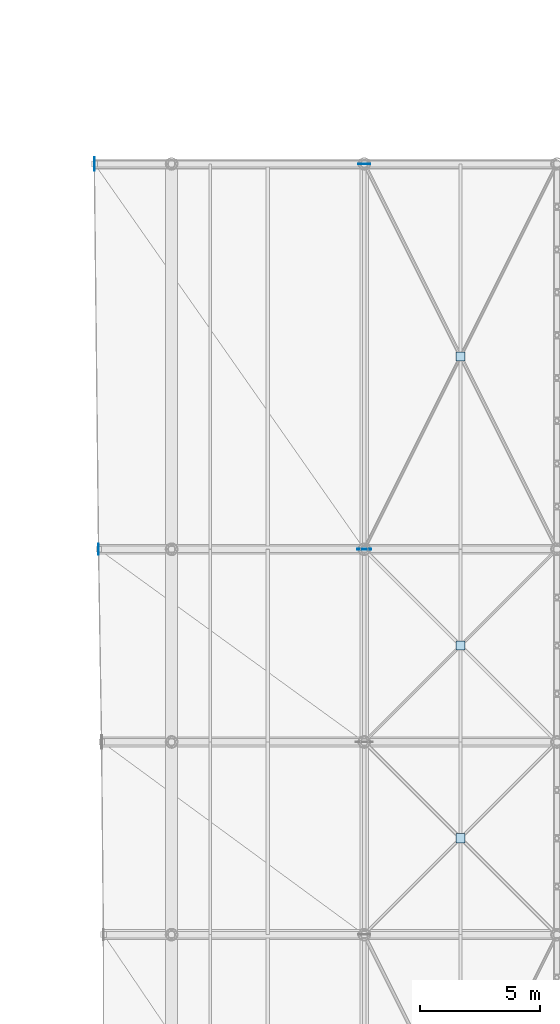
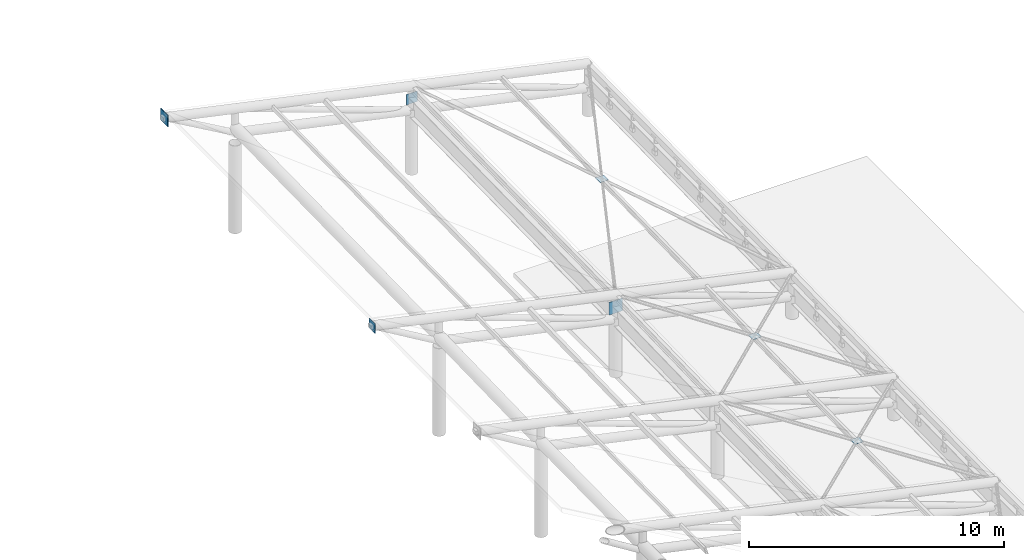
# One storey, part 31 of 41: 7 plates.
"""IFC4 building model written with IfcOpenShell, lengths in metres."""

from ifc_helpers import new_model, si_unit, direction, frame, origin, origin_2d, place, context, subcontext, project, spatial, rectangle, extrude, material, layer, layer_set, type_object, element, save


model = new_model("IFC4")

# Units and contexts
model_context = context("Model", 3, precision=1e-05, world=origin(), true_north=direction((0.0, 1.0)))
body_context = subcontext(model_context, "Body", "Model", "MODEL_VIEW")
ifc_project = project(units=[si_unit("LENGTHUNIT", "METRE"), si_unit("AREAUNIT", "SQUARE_METRE"), si_unit("VOLUMEUNIT", "CUBIC_METRE"), si_unit("PLANEANGLEUNIT", "RADIAN"), si_unit("MASSUNIT", "GRAM", prefix="KILO")], contexts=[model_context])

# Site, building, storey
site_placement = place(None, origin())
site = spatial("IfcSite", under=ifc_project, at=site_placement, CompositionType="ELEMENT")
building_placement = place(site_placement, origin())
building = spatial("IfcBuilding", under=site, at=building_placement, Name="Haebicheon Civic Stadium", CompositionType="ELEMENT")
storey_placement = place(building_placement, frame((0.0, 0.0, 27.0)))
storey = spatial("IfcBuildingStorey", under=building, at=storey_placement, Name="L07", CompositionType="ELEMENT", Elevation=27.0)

# Plates
ifc_material_1 = material(Name="White painted steel SM490", Category="steel")
ifc_layer_1 = layer(ifc_material_1, 0.02001953125, Name="White painted steel SM490")
ifc_layer_set_1 = layer_set([ifc_layer_1], Name="White painted steel SM490")
plate_type_1 = type_object("IfcPlateType", Name="PLT-CAP-20", PredefinedType="SHEET", material=ifc_layer_set_1)
plate_1_placement = place(storey_placement, frame((132.97509765625, 120.0, 5.9580078125), z_axis=(0.0, 0.0, 1.0), x_axis=(0.0, 1.0, 0.0)))
element("IfcPlate", 1, at=plate_1_placement, inside=storey, type_object=plate_type_1, material=ifc_layer_set_1, Name="CAN-EAST tip end-cap plate 8", PredefinedType="SHEET", context=body_context, shape_type="SweptSolid", body=[
    extrude(rectangle(XDim=0.4599609375, YDim=0.02001953125, at=origin_2d()), origin(), (0.0, 0.0, 1.0), 0.4599609375),
])
ifc_material_2 = material(Name="White painted steel SM490", Category="steel")
ifc_layer_2 = layer(ifc_material_2, 0.02587890625, Name="White painted steel SM490")
ifc_layer_set_2 = layer_set([ifc_layer_2], Name="White painted steel SM490")
plate_type_2 = type_object("IfcPlateType", Name="PLT-CAP-26", PredefinedType="SHEET", material=ifc_layer_set_2)
plate_2_placement = place(storey_placement, frame((132.800048828125, 136.0, 6.23486328125), z_axis=(0.0, 0.0, 1.0), x_axis=(0.0, 1.0, 0.0)))
element("IfcPlate", 2, at=plate_2_placement, inside=storey, type_object=plate_type_2, material=ifc_layer_set_2, Name="CAN-EAST tip end-cap plate 9", PredefinedType="SHEET", context=body_context, shape_type="SweptSolid", body=[
    extrude(rectangle(XDim=0.56005859375, YDim=0.02587890625, at=origin_2d()), origin(), (0.0, 0.0, 1.0), 0.56005859375),
])
ifc_material_3 = material(Name="White painted steel SM490", Category="steel")
ifc_layer_3 = layer(ifc_material_3, 0.01806640625, Name="White painted steel SM490")
ifc_layer_set_3 = layer_set([ifc_layer_3], Name="White painted steel SM490")
plate_type_3 = type_object("IfcPlateType", Name="PLT-GUS-18", PredefinedType="USERDEFINED", material=ifc_layer_set_3)
plate_3_placement = place(storey_placement, frame((144.0, 136.0, 3.281982421875), z_axis=(0.0, 0.0, 1.0), x_axis=(1.0, 0.0, 0.0)))
element("IfcPlate", 3, at=plate_3_placement, inside=storey, type_object=plate_type_3, material=ifc_layer_set_3, Name="CAN-EAST heel node gusset plate KN-T09", ObjectType="GUSSET PLATE", PredefinedType="USERDEFINED", context=body_context, shape_type="SweptSolid", body=[
    extrude(rectangle(XDim=0.5, YDim=0.01806640625, at=origin_2d()), origin(), (0.0, 0.0, 1.0), 0.5),
])
ifc_material_4 = material(Name="White painted steel SM490", Category="steel")
ifc_layer_4 = layer(ifc_material_4, 0.02392578125, Name="White painted steel SM490")
ifc_layer_set_4 = layer_set([ifc_layer_4], Name="White painted steel SM490")
plate_type_4 = type_object("IfcPlateType", Name="PLT-GUS-24", PredefinedType="USERDEFINED", material=ifc_layer_set_4)
plate_4_placement = place(storey_placement, frame((144.0, 120.0, 2.94287109375), z_axis=(0.0, 0.0, 1.0), x_axis=(1.0, 0.0, 0.0)))
element("IfcPlate", 4, at=plate_4_placement, inside=storey, type_object=plate_type_4, material=ifc_layer_set_4, Name="CAN-EAST heel node gusset plate KN-T08", ObjectType="GUSSET PLATE", PredefinedType="USERDEFINED", context=body_context, shape_type="SweptSolid", body=[
    extrude(rectangle(XDim=0.60009765625, YDim=0.02392578125, at=origin_2d()), origin(), (0.0, 0.0, 1.0), 0.60009765625),
])
ifc_material_5 = material(Name="White painted steel SM490", Category="steel")
ifc_layer_5 = layer(ifc_material_5, 0.013916015625, Name="White painted steel SM490")
ifc_layer_set_5 = layer_set([ifc_layer_5], Name="White painted steel SM490")
plate_type_5 = type_object("IfcPlateType", Name="PLT-XND-14", PredefinedType="SHEET", material=ifc_layer_set_5)
for number, where, z_axis, x_axis, name in (
    (5, (148.0, 108.0, 2.68310546875), (0.0, 0.0, 1.0), (1.0, 0.0, 0.0), "CAN-EAST X-brace crossing gusset plate 6"),
    (6, (148.0, 116.0, 2.84814453125), (0.0, 0.0, 1.0), (1.0, 0.0, 0.0), "CAN-EAST X-brace crossing gusset plate 7"),
    (7, (148.0, 128.0, 3.09521484375), (0.0, 0.0, 1.0), (1.0, 0.0, 0.0), "CAN-EAST X-brace crossing gusset plate 8"),
):
    element("IfcPlate", number, at=place(storey_placement, frame(where, z_axis=z_axis, x_axis=x_axis)), inside=storey, type_object=plate_type_5, material=ifc_layer_set_5, Name=name, PredefinedType="SHEET", context=body_context, shape_type="SweptSolid", body=[
        extrude(rectangle(XDim=0.3798828125, YDim=0.3798828125, at=origin_2d()), origin(), (0.0, 0.0, 1.0), 0.013916015625),
    ])

save(model, "model.ifc")
